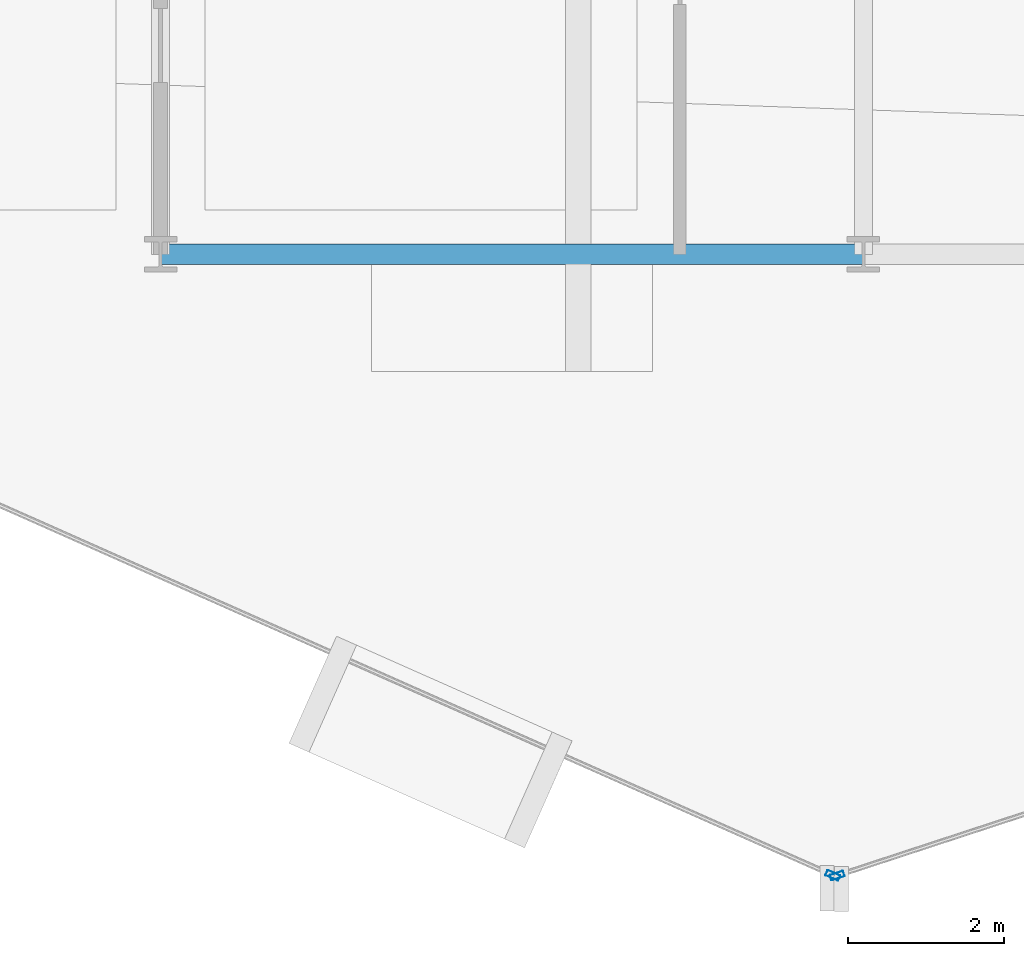
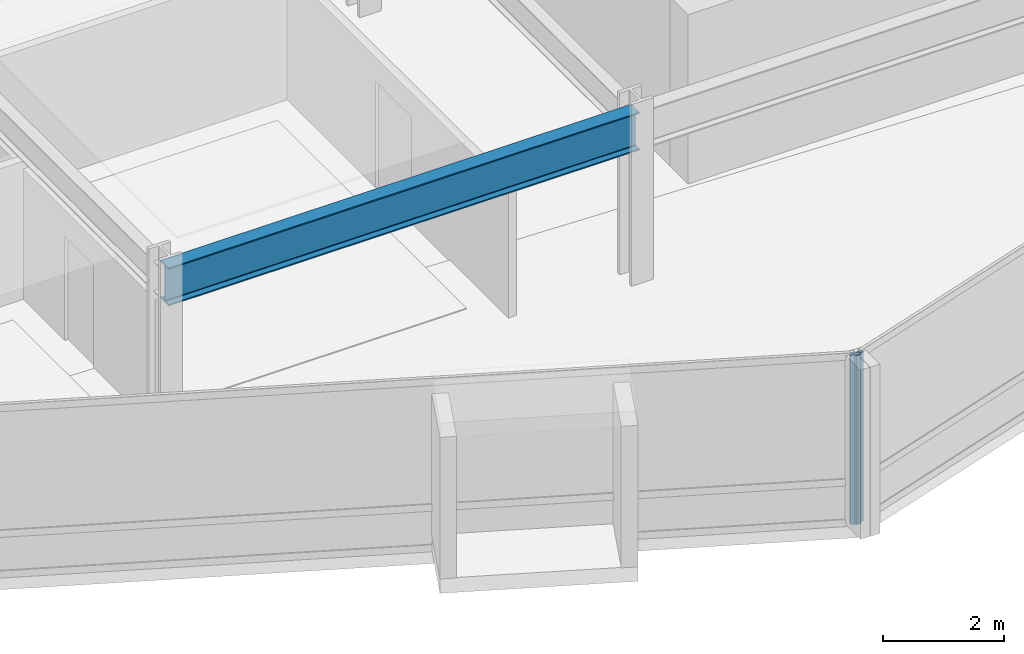
# One storey, part 4 of 29: 2 members, 1 beam, 2 elements without a shape of their own.
"""IFC4 building model written with IfcOpenShell, lengths in metres."""

from ifc_helpers import new_model, si_unit, direction, frame, origin, origin_2d, place, context, subcontext, project, spatial, hollow_rectangle, i_section, extrude, material, layer, layer_set, material_profile, profile_set, type_object, element, aggregate, save


model = new_model("IFC4")

# Units and contexts
model_context = context("Model", 3, precision=1e-05, world=origin(), true_north=direction((0.0, 1.0)))
body_context = subcontext(model_context, "Body", "Model", "MODEL_VIEW")
ifc_project = project(units=[si_unit("LENGTHUNIT", "METRE"), si_unit("AREAUNIT", "SQUARE_METRE"), si_unit("VOLUMEUNIT", "CUBIC_METRE"), si_unit("PLANEANGLEUNIT", "RADIAN"), si_unit("MASSUNIT", "GRAM", prefix="KILO")], contexts=[model_context])

# Site, building, storey
site_placement = place(None, origin())
site = spatial("IfcSite", under=ifc_project, at=site_placement, CompositionType="ELEMENT")
building_placement = place(site_placement, origin())
building = spatial("IfcBuilding", under=site, at=building_placement, Name="Solvaryn Broadcast Tower", CompositionType="ELEMENT")
storey_placement = place(building_placement, frame((0.0, 0.0, 113.699951171875)))
storey = spatial("IfcBuildingStorey", under=building, at=storey_placement, Name="L27", CompositionType="ELEMENT", Elevation=113.699951171875)

# Beam
ifc_material_1 = material(Name="Steel ASTM A992 Grade 50", Category="steel")
ifc_material_profile_1 = material_profile(ifc_material_1, i_section(OverallWidth=0.26708984375, OverallDepth=0.76611328125, WebThickness=0.014892578125, FlangeThickness=0.023681640625, FilletRadius=0.01806640625, at=origin_2d()))
ifc_profile_set_1 = profile_set([ifc_material_profile_1], Name="Steel ASTM A992 Grade 50")
beam_type = type_object("IfcBeamType", Name="BM-SP2-W30X124", PredefinedType="USERDEFINED", material=ifc_profile_set_1)
beam_placement = place(storey_placement, frame((18.0, 9.0, 3.037109375), z_axis=(1.0, 0.0, 0.0), x_axis=(0.0, 1.0, 0.0)))
element("IfcBeam", 1, at=beam_placement, inside=storey, type_object=beam_type, Name="L27 Spandrel Beam X (18-27 @ Y=9)", ObjectType="SPANDREL", PredefinedType="USERDEFINED", context=body_context, shape_type="SweptSolid", body=[
    extrude(i_section(OverallWidth=0.26708984375, OverallDepth=0.76611328125, WebThickness=0.014892578125, FlangeThickness=0.023681640625, FilletRadius=0.01806640625, at=origin_2d()), origin(), (0.0, 0.0, 1.0), 9.0),
])

# Curtain wall, member
ifc_material_2 = material(Name="Aluminium and Terracotta Unitised Curtain Wall", Category="masonry")
ifc_layer = layer(ifc_material_2, 0.199951171875)
ifc_layer_set = layer_set([ifc_layer], Name="CW-SYS2-LOWMID")
curtain_wall_type = type_object("IfcCurtainWallType", Name="CW-SYS2-LOWMID", PredefinedType="NOTDEFINED", material=ifc_layer_set)
curtain_wall_1_placement = place(storey_placement, origin())
curtain_wall_1 = element("IfcCurtainWall", 2, at=curtain_wall_1_placement, inside=storey, type_object=curtain_wall_type, Name="L27 Curtain Wall DR3", PredefinedType="NOTDEFINED")
ifc_material_3 = material(Name="Anodised Aluminium 6063-T6", Category="aluminium")
ifc_material_profile_2 = material_profile(ifc_material_3, hollow_rectangle(XDim=0.074951171875, YDim=0.179931640625, WallThickness=0.00390625, InnerFilletRadius=0.00390625, OuterFilletRadius=0.008056640625, at=origin_2d()))
ifc_profile_set_2 = profile_set([ifc_material_profile_2], Name="Anodised Aluminium 6063-T6")
member_type = type_object("IfcMemberType", Name="CW-MUL-180", PredefinedType="MULLION", material=ifc_profile_set_2)
member_1_placement = place(storey_placement, frame((26.608642578125, 1.046142578125, 0.0), z_axis=(0.0, 0.0, 1.0), x_axis=(0.405918429309, 0.913909311008, 0.0)))
member_1 = element("IfcMember", 3, at=member_1_placement, type_object=member_type, Name="CWS2 mullion 2", PredefinedType="MULLION", context=body_context, shape_type="SweptSolid", body=[
    extrude(hollow_rectangle(XDim=0.074951171875, YDim=0.179931640625, WallThickness=0.00390625, InnerFilletRadius=0.00390625, OuterFilletRadius=0.008056640625, at=origin_2d()), origin(), (0.0, 0.0, 1.0), 3.420166015625),
])
aggregate(curtain_wall_1, [member_1])

curtain_wall_2_placement = place(storey_placement, origin())
curtain_wall_2 = element("IfcCurtainWall", 4, at=curtain_wall_2_placement, inside=storey, type_object=curtain_wall_type, Name="L27 Curtain Wall DR4", PredefinedType="NOTDEFINED")
member_2_placement = place(storey_placement, frame((26.66455078125, 1.04345703125, 0.0), z_axis=(0.0, 0.0, 1.0), x_axis=(-0.311646057547, 0.950198260794, 0.0)))
member_2 = element("IfcMember", 5, at=member_2_placement, type_object=member_type, Name="CWS2 mullion 1", PredefinedType="MULLION", context=body_context, shape_type="SweptSolid", body=[
    extrude(hollow_rectangle(XDim=0.074951171875, YDim=0.179931640625, WallThickness=0.00390625, InnerFilletRadius=0.00390625, OuterFilletRadius=0.008056640625, at=origin_2d()), origin(), (0.0, 0.0, 1.0), 3.420166015625),
])
aggregate(curtain_wall_2, [member_2])

save(model, "model.ifc")
